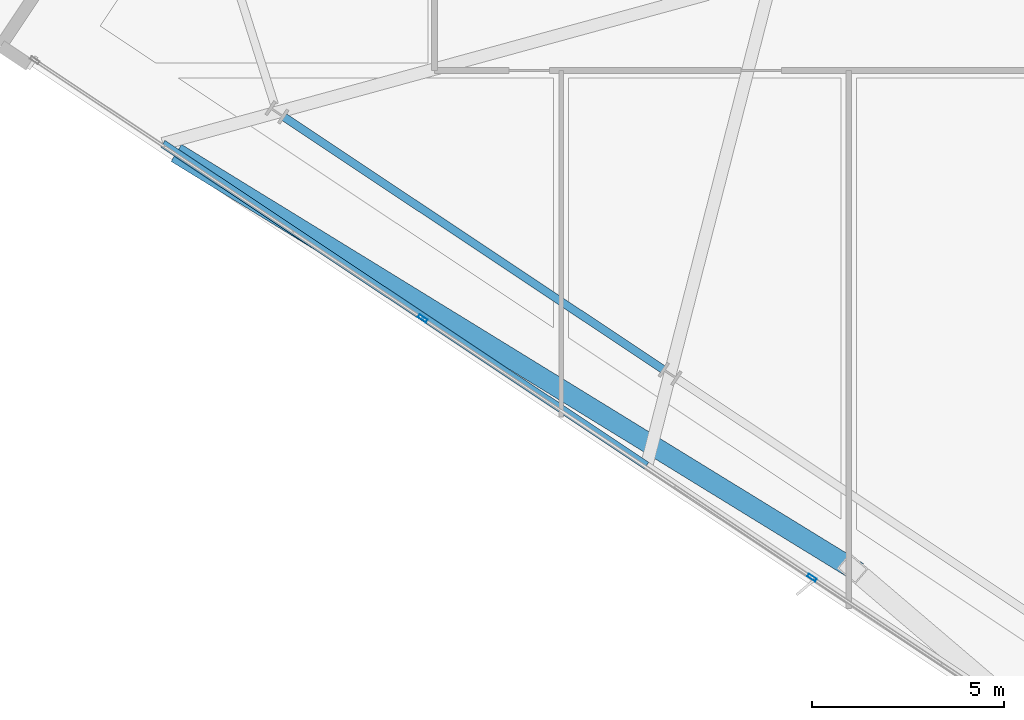
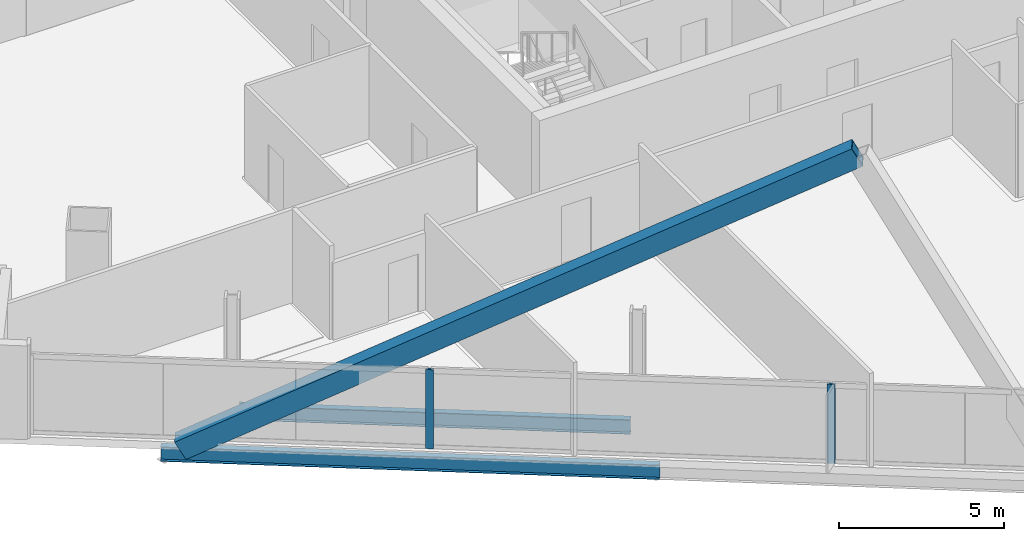
# One storey, part 2 of 32: 3 members, 2 beams, 1 element without a shape of its own.
"""IFC4 building model written with IfcOpenShell, lengths in metres."""

from ifc_helpers import new_model, si_unit, direction, frame, origin, origin_2d, place, context, subcontext, project, spatial, hollow_rectangle, i_section, extrude, material, material_profile, profile_set, type_object, element, aggregate, save


model = new_model("IFC4")

# Units and contexts
model_context = context("Model", 3, precision=1e-05, world=origin(), true_north=direction((0.0, 1.0)))
body_context = subcontext(model_context, "Body", "Model", "MODEL_VIEW")
ifc_project = project(units=[si_unit("LENGTHUNIT", "METRE"), si_unit("AREAUNIT", "SQUARE_METRE"), si_unit("VOLUMEUNIT", "CUBIC_METRE"), si_unit("PLANEANGLEUNIT", "RADIAN"), si_unit("MASSUNIT", "GRAM", prefix="KILO")], contexts=[model_context])

# Site, building, storey
site_placement = place(None, origin())
site = spatial("IfcSite", under=ifc_project, at=site_placement, CompositionType="ELEMENT")
building_placement = place(site_placement, origin())
building = spatial("IfcBuilding", under=site, at=building_placement, Name="Haldenkirk Collegiate Tower", CompositionType="ELEMENT")
storey_placement = place(building_placement, frame((0.0, 0.0, 217.199951171875)))
storey = spatial("IfcBuildingStorey", under=building, at=storey_placement, Name="L54", CompositionType="ELEMENT", Elevation=217.199951171875)

# Beams
ifc_material_1 = material(Name="Steel ASTM A992 Grade 50", Category="steel")
ifc_material_profile_1 = material_profile(ifc_material_1, i_section(OverallWidth=0.2099609375, OverallDepth=0.537109375, WebThickness=0.010986328125, FlangeThickness=0.017333984375, at=origin_2d()), Name="W21X68")
ifc_profile_set_1 = profile_set([ifc_material_profile_1], Name="Steel ASTM A992 Grade 50")
beam_type = type_object("IfcBeamType", Name="BM-SPANDREL-W21X68", PredefinedType="SPANDREL", material=ifc_profile_set_1)
beam_1_placement = place(storey_placement, frame((14.26904296875, 14.337158203125, -0.54833984375), z_axis=(0.832438805455, -0.554116986901, 0.0), x_axis=(0.554116986901, 0.832438805455, 0.0)))
element("IfcBeam", 1, at=beam_1_placement, inside=storey, type_object=beam_type, Name="L54 perimeter spandrel beam 14", PredefinedType="SPANDREL", context=body_context, shape_type="SweptSolid", body=[
    extrude(i_section(OverallWidth=0.2099609375, OverallDepth=0.537109375, WebThickness=0.010986328125, FlangeThickness=0.017333984375, at=origin_2d()), origin(), (0.0, 0.0, 1.0), 11.885009765625),
])
beam_2_placement = place(storey_placement, frame((11.111083984375, 13.640380859375, -0.54833984375), z_axis=(0.83243659803, -0.554120303057, 0.0), x_axis=(0.554120303057, 0.83243659803, 0.0)))
element("IfcBeam", 2, at=beam_2_placement, inside=storey, type_object=beam_type, Name="L54 outer facade edge beam 4A", PredefinedType="SPANDREL", context=body_context, shape_type="SweptSolid", body=[
    extrude(i_section(OverallWidth=0.2099609375, OverallDepth=0.537109375, WebThickness=0.010986328125, FlangeThickness=0.017333984375, at=origin_2d()), origin(), (0.0, 0.0, 1.0), 15.159912109375),
])

# Curtain wall, members
ifc_material_2 = material(Name="Anodised architectural bronze aluminium", Category="aluminium")
curtain_wall_type = type_object("IfcCurtainWallType", Name="CW-SYS1B-CONVEX-HI", PredefinedType="USERDEFINED", material=ifc_material_2)
curtain_wall_placement = place(storey_placement, origin())
curtain_wall = element("IfcCurtainWall", 3, at=curtain_wall_placement, inside=storey, type_object=curtain_wall_type, Name="L54 Upper tower high-wind convex bronze unitised curtain wall", ObjectType="UNITISED CURTAIN WALL", PredefinedType="USERDEFINED")
ifc_material_profile_2 = material_profile(ifc_material_2, hollow_rectangle(XDim=0.0849609375, YDim=0.25, WallThickness=0.0048828125, at=origin_2d()), Name="CW-MUL-1B")
ifc_profile_set_2 = profile_set([ifc_material_profile_2], Name="Anodised architectural bronze aluminium")
member_type_1 = type_object("IfcMemberType", Name="CW-MUL-1B", PredefinedType="MULLION", material=ifc_profile_set_2)
member_1_placement = place(storey_placement, frame((28.04541015625, 2.31982421875, 0.0), z_axis=(0.0, 0.0, 1.0), x_axis=(-0.554119986, -0.832436809083, 0.0)))
member_1 = element("IfcMember", 4, at=member_1_placement, type_object=member_type_1, Name="CW-1B mullion 2", PredefinedType="MULLION", context=body_context, shape_type="SweptSolid", body=[
    extrude(hollow_rectangle(XDim=0.0849609375, YDim=0.25, WallThickness=0.0048828125, at=origin_2d()), origin(), (0.0, 0.0, 1.0), 2.927978515625),
])
member_2_placement = place(storey_placement, frame((17.8896484375, 9.080078125, 0.0), z_axis=(0.0, 0.0, 1.0), x_axis=(-0.554119986, -0.832436809083, 0.0)))
member_2 = element("IfcMember", 5, at=member_2_placement, type_object=member_type_1, Name="CW-1B mullion 3", PredefinedType="MULLION", context=body_context, shape_type="SweptSolid", body=[
    extrude(hollow_rectangle(XDim=0.0849609375, YDim=0.25, WallThickness=0.0048828125, at=origin_2d()), origin(), (0.0, 0.0, 1.0), 2.927978515625),
])
aggregate(curtain_wall, [member_1, member_2])

# Member
ifc_material_3 = material(Name="Steel ASTM A572 Grade 50", Category="steel")
ifc_material_profile_3 = material_profile(ifc_material_3, hollow_rectangle(XDim=0.52001953125, YDim=0.719970703125, WallThickness=0.035888671875, at=origin_2d()), Name="BOX720X520X36")
ifc_profile_set_3 = profile_set([ifc_material_profile_3], Name="Steel ASTM A572 Grade 50")
member_type_2 = type_object("IfcMemberType", Name="MBR-MEGABRACE-BOX720X520X36", PredefinedType="BRACE", material=ifc_profile_set_3)
member_3_placement = place(storey_placement, frame((11.610595703125, 13.30810546875, -0.2900390625), z_axis=(0.747161999805, -0.459183970683, 0.480519538744), x_axis=(0.523594455256, 0.851967632264, 0.0)))
element("IfcMember", 6, at=member_3_placement, inside=storey, type_object=member_type_2, Name="Perimeter Mega Brace Z4 L54-L56 WL", PredefinedType="BRACE", context=body_context, shape_type="SweptSolid", body=[
    extrude(hollow_rectangle(XDim=0.52001953125, YDim=0.719970703125, WallThickness=0.035888671875, at=origin_2d()), origin(), (0.0, 0.0, 1.0), 23.412109375),
])

save(model, "model.ifc")
